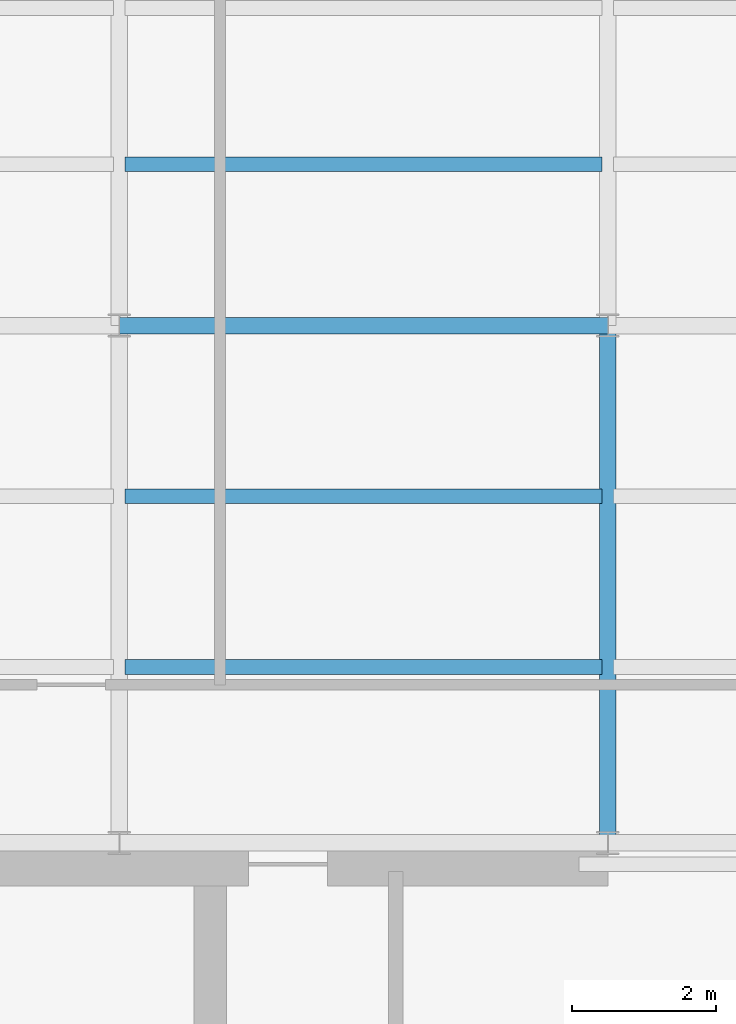
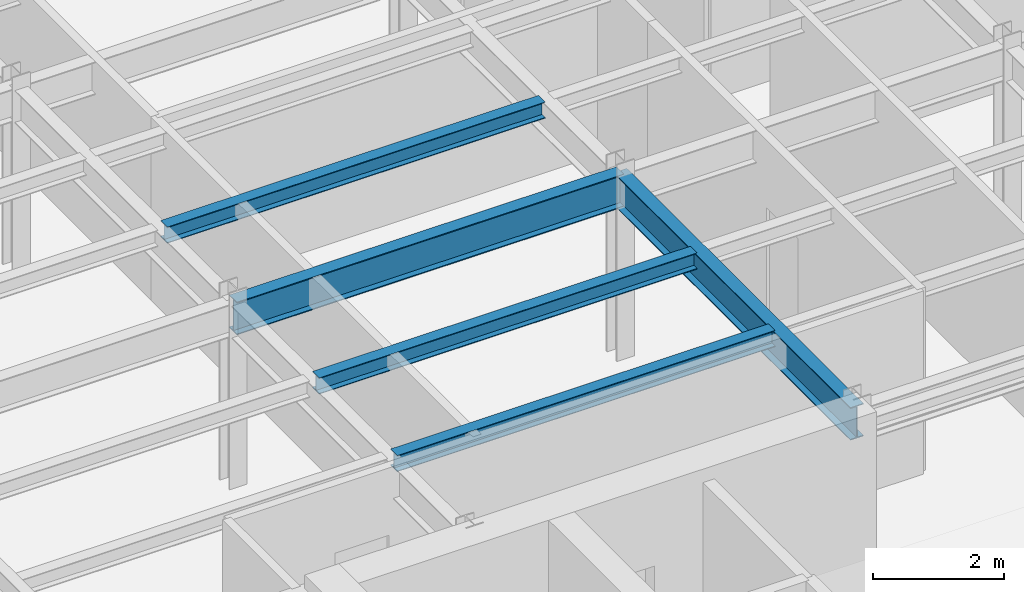
# One storey, part 6 of 22: 5 beams.
"""IFC4 building model written with IfcOpenShell, lengths in metres."""

import ifcopenshell
import ifcopenshell.guid

model = None  # the IFC model being written
_history = None  # IfcOwnerHistory: only IFC2X3 demands one
_inside = {}  # id of a spatial element -> (the spatial element, [elements in it])
_under = {}  # id of a project, library or spatial element -> (it, [spatial elements below it])
_declared = {}  # id of a project -> (the project, [libraries it declares])
_typed = {}  # id of a type object -> (the type object, [elements of that type])
_made_of = {}  # id of a material, layer set ... -> (it, [elements and type objects made of it])


def new_model(schema):
    """Start an empty IFC model of exactly this schema.

    Asked for "IFC4X3", IfcOpenShell would pick the latest addendum, in which some entities
    have other attributes; the version numbers below select the first issue.
    IFC2X3 requires an IfcOwnerHistory on every rooted entity: one is made here for all.
    """
    global model, _history
    if schema == "IFC4X3":
        model = ifcopenshell.file(schema_version=(4, 3, 0, 0))
    else:
        model = ifcopenshell.file(schema=schema)
    _inside.clear()
    _under.clear()
    _declared.clear()
    _typed.clear()
    _made_of.clear()
    _history = None
    if model.schema == "IFC2X3":
        org = make("IfcOrganization", Name="unknown")
        user = make(
            "IfcPersonAndOrganization",
            ThePerson=make("IfcPerson", FamilyName="unknown"),
            TheOrganization=org,
        )
        app = make(
            "IfcApplication",
            ApplicationDeveloper=org,
            Version="unknown",
            ApplicationFullName="unknown",
            ApplicationIdentifier="unknown",
        )
        _history = make(
            "IfcOwnerHistory",
            OwningUser=user,
            OwningApplication=app,
            ChangeAction="ADDED",
            CreationDate=0,
        )
    return model


def make(cls, **values):
    """One entity of the class cls with the attributes given. An attribute that is None is left unset."""
    return model.create_entity(
        cls, **{name: value for name, value in values.items() if value is not None}
    )


def rooted(cls, **values):
    """An entity with a GlobalId (a new one), such as an element, a storey or a relation."""
    return make(cls, GlobalId=ifcopenshell.guid.new(), OwnerHistory=_history, **values)


def si_unit(unit_type, name, prefix=None):
    """IfcSIUnit, for example si_unit("LENGTHUNIT", "METRE", prefix="MILLI")."""
    return make("IfcSIUnit", UnitType=unit_type, Prefix=prefix, Name=name)


def derived_unit(unit_type, elements):
    """IfcDerivedUnit: a product of units, each with its exponent."""
    return make(
        "IfcDerivedUnit",
        Elements=[
            make("IfcDerivedUnitElement", Unit=unit, Exponent=power)
            for unit, power in elements
        ],
        UnitType=unit_type,
    )


def assignment(units):
    """IfcUnitAssignment: the units of a project."""
    return None if units is None else make("IfcUnitAssignment", Units=units)


def point(xyz):
    """IfcCartesianPoint."""
    return None if xyz is None else make("IfcCartesianPoint", Coordinates=xyz)


def direction(xyz):
    """IfcDirection."""
    return None if xyz is None else make("IfcDirection", DirectionRatios=xyz)


def frame(location, z_axis=None, x_axis=None):
    """IfcAxis2Placement3D, a coordinate frame: its origin and axes. An axis left out is left unset."""
    return make(
        "IfcAxis2Placement3D",
        Location=point(location),
        Axis=direction(z_axis),
        RefDirection=direction(x_axis),
    )


def frame_2d(location, x_axis=None):
    """IfcAxis2Placement2D, a coordinate frame in the plane: its origin and x axis."""
    return make(
        "IfcAxis2Placement2D", Location=point(location), RefDirection=direction(x_axis)
    )


def origin():
    """The frame at (0, 0, 0) with its axes left unset."""
    return frame((0.0, 0.0, 0.0))


def origin_2d():
    """The frame at (0, 0) in the plane with its x axis left unset."""
    return frame_2d((0.0, 0.0))


def place(relative_to, where):
    """IfcLocalPlacement: puts the frame where relative to a parent placement (None: the world)."""
    return make(
        "IfcLocalPlacement", PlacementRelTo=relative_to, RelativePlacement=where
    )


def context(
    kind, dimensions, precision=None, world=None, true_north=None, identifier=None
):
    """IfcGeometricRepresentationContext, for example the 3D "Model" context."""
    return make(
        "IfcGeometricRepresentationContext",
        ContextIdentifier=identifier,
        ContextType=kind,
        CoordinateSpaceDimension=dimensions,
        Precision=precision,
        WorldCoordinateSystem=world,
        TrueNorth=true_north,
    )


def subcontext(parent, identifier, kind, view, scale=None):
    """IfcGeometricRepresentationSubContext, for example "Body" below "Model"."""
    return make(
        "IfcGeometricRepresentationSubContext",
        ContextIdentifier=identifier,
        ContextType=kind,
        ParentContext=parent,
        TargetScale=scale,
        TargetView=view,
    )


def project(units=None, contexts=None):
    """IfcProject with its units and contexts."""
    return rooted(
        "IfcProject",
        Name="project",
        RepresentationContexts=contexts,
        UnitsInContext=assignment(units),
    )


def spatial(cls, under=None, at=None, **own):
    """A site, building, storey or space (cls), placed at a placement, below another one or the project."""
    s = rooted(cls, ObjectPlacement=at, **own)
    if under is not None:
        _under.setdefault(under.id(), (under, []))[1].append(s)
    return s


def profile(cls, at=None, kind="AREA", **sizes):
    """A parametric profile (cls). Its sizes go by their IFC names, for example OverallWidth=200.0."""
    return make(cls, ProfileType=kind, Position=at, **sizes)


def i_section(**sizes):
    """IfcIShapeProfileDef."""
    return profile("IfcIShapeProfileDef", **sizes)


def extrude(swept, where, along, depth):
    """IfcExtrudedAreaSolid: the profile swept, set in the frame where, extruded along a direction by depth."""
    return make(
        "IfcExtrudedAreaSolid",
        SweptArea=swept,
        Position=where,
        ExtrudedDirection=direction(along),
        Depth=depth,
    )


def shape(context_of_items, identifier, shape_type, items):
    """IfcShapeRepresentation: the items that make up one representation, for example the "Body"."""
    return make(
        "IfcShapeRepresentation",
        ContextOfItems=context_of_items,
        RepresentationIdentifier=identifier,
        RepresentationType=shape_type,
        Items=items,
    )


def source(mapping_origin, context_of_items, identifier, shape_type, items):
    """IfcRepresentationMap: a shape defined once, which mapped items show again and again."""
    return make(
        "IfcRepresentationMap",
        MappingOrigin=mapping_origin,
        MappedRepresentation=shape(context_of_items, identifier, shape_type, items),
    )


def transform(
    local_origin,
    x_axis=None,
    y_axis=None,
    z_axis=None,
    scale=None,
    scale2=None,
    scale3=None,
    uniform=True,
):
    """IfcCartesianTransformationOperator3D, or its non-uniform kind. x_axis, y_axis, z_axis: its Axis1, 2, 3."""
    if uniform:
        return make(
            "IfcCartesianTransformationOperator3D",
            Axis1=direction(x_axis),
            Axis2=direction(y_axis),
            LocalOrigin=point(local_origin),
            Scale=scale,
            Axis3=direction(z_axis),
        )
    return make(
        "IfcCartesianTransformationOperator3DnonUniform",
        Axis1=direction(x_axis),
        Axis2=direction(y_axis),
        LocalOrigin=point(local_origin),
        Scale=scale,
        Axis3=direction(z_axis),
        Scale2=scale2,
        Scale3=scale3,
    )


def mapped(mapping_source, mapping_target):
    """IfcMappedItem: shows the shape of a source again, moved by a transform."""
    return make(
        "IfcMappedItem", MappingSource=mapping_source, MappingTarget=mapping_target
    )


def material(Name=None, Category=None):
    """IfcMaterial."""
    return make("IfcMaterial", Name=Name, Category=Category)


def material_profile(
    of_material, cross_section, Name=None, Category=None, Priority=None
):
    """IfcMaterialProfile: a cross section and its material."""
    return make(
        "IfcMaterialProfile",
        Name=Name,
        Material=of_material,
        Profile=cross_section,
        Priority=Priority,
        Category=Category,
    )


def profile_set(profiles, Name=None, composite=None):
    """IfcMaterialProfileSet."""
    return make(
        "IfcMaterialProfileSet",
        Name=Name,
        MaterialProfiles=profiles,
        CompositeProfile=composite,
    )


def made_of(thing, what):
    """Note that an element or type object is made of a material, layer set ...; save() writes the relation."""
    if what is not None:
        _made_of.setdefault(what.id(), (what, []))[1].append(thing)
    return thing


def type_object(cls, material=None, **own):
    """A type object (cls), such as IfcWallType, which elements share."""
    return made_of(rooted(cls, **own), material)


def element(
    cls,
    number,
    at=None,
    inside=None,
    cuts=None,
    type_object=None,
    material=None,
    context=None,
    identifier="Body",
    shape_type=None,
    held_by="IfcProductDefinitionShape",
    body=None,
    shapes=None,
    **own,
):
    """One element of the class cls, such as IfcWall. Its Tag is "e" and its number.

    at: its placement. inside: the storey or other place that contains it. cuts: it is an
    opening in that element (IfcRelVoidsElement). A single representation is given by context,
    identifier, shape_type and body (its items); several are given by shapes. held_by: the class
    of the entity that holds the representations. save() writes the other relations.
    """
    e = rooted(cls, Tag="e%d" % number, ObjectPlacement=at, **own)
    if body is not None:
        shapes = [shape(context, identifier, shape_type, body)]
    if shapes is not None:
        e.Representation = make(held_by, Representations=shapes)
    if inside is not None:
        _inside.setdefault(inside.id(), (inside, []))[1].append(e)
    if cuts is not None:
        rooted(
            "IfcRelVoidsElement", RelatingBuildingElement=cuts, RelatedOpeningElement=e
        )
    if type_object is not None:
        _typed.setdefault(type_object.id(), (type_object, []))[1].append(e)
    return made_of(e, material)


def aggregate(whole, parts):
    """IfcRelAggregates: a whole, such as a stair, and the parts it consists of."""
    return rooted("IfcRelAggregates", RelatingObject=whole, RelatedObjects=parts)


def save(model, path):
    """Write the relations noted so far, then the file.

    IfcRelAggregates (storeys below a building ...), IfcRelContainedInSpatialStructure (elements
    in a storey), IfcRelDefinesByType, IfcRelAssociatesMaterial and IfcRelDeclares: one each for
    every whole, place, type object, material and project.
    """
    for whole, parts in _under.values():
        aggregate(whole, parts)
    for where, things in _inside.values():
        rooted(
            "IfcRelContainedInSpatialStructure",
            RelatedElements=things,
            RelatingStructure=where,
        )
    for kind, things in _typed.values():
        rooted("IfcRelDefinesByType", RelatedObjects=things, RelatingType=kind)
    for what, things in _made_of.values():
        rooted("IfcRelAssociatesMaterial", RelatedObjects=things, RelatingMaterial=what)
    for by, libraries in _declared.values():
        rooted("IfcRelDeclares", RelatingContext=by, RelatedDefinitions=libraries)
    model.write(path)


model = new_model("IFC4")

# Units and contexts
model_context = context("Model", 3, precision=1e-05, world=origin(), true_north=direction((0.0, 1.0)))
body_context = subcontext(model_context, "Body", "Model", "MODEL_VIEW")
ifc_project = project(units=[si_unit("LENGTHUNIT", "METRE"), si_unit("AREAUNIT", "SQUARE_METRE"), si_unit("VOLUMEUNIT", "CUBIC_METRE"), si_unit("PLANEANGLEUNIT", "RADIAN"), si_unit("MASSUNIT", "GRAM", prefix="KILO"), derived_unit("THERMALTRANSMITTANCEUNIT", [(si_unit("POWERUNIT", "WATT"), 1), (si_unit("LENGTHUNIT", "METRE"), -2), (si_unit("THERMODYNAMICTEMPERATUREUNIT", "KELVIN"), -1)])], contexts=[model_context])

# Site, building, storey
site_placement = place(None, origin())
site = spatial("IfcSite", under=ifc_project, at=site_placement, CompositionType="ELEMENT")
building_placement = place(site_placement, origin())
building = spatial("IfcBuilding", under=site, at=building_placement, Name="Skarnbrae Concourse Arena and Tower", CompositionType="ELEMENT")
storey_placement = place(building_placement, frame((0.0, 0.0, 280.699951171875)))
storey = spatial("IfcBuildingStorey", under=building, at=storey_placement, Name="L73", CompositionType="ELEMENT", Elevation=280.699951171875)

# Beams
ifc_material = material(Name="Steel CSA G40.21 350W", Category="steel")
ifc_material_profile_1 = material_profile(ifc_material, i_section(OverallWidth=0.22802734375, OverallDepth=0.60791015625, WebThickness=0.01123046875, FlangeThickness=0.017333984375, at=origin_2d()), Name="W610X113")
ifc_profile_set_1 = profile_set([ifc_material_profile_1], Name="Steel CSA G40.21 350W")
beam_type_1 = type_object("IfcBeamType", Name="BM-GIRD-W610X113", PredefinedType="BEAM", material=ifc_profile_set_1)
shared_shape_1 = source(origin(), body_context, "Body", "SweptSolid", [
    extrude(i_section(OverallWidth=0.22802734375, OverallDepth=0.60791015625, WebThickness=0.01123046875, FlangeThickness=0.017333984375, at=origin_2d()), origin(), (0.0, 0.0, 1.0), 6.7998046875),
])
beam_1_placement = place(storey_placement, frame((7.60009765625, 21.199951171875, 3.095947265625), z_axis=(1.0, 0.0, 0.0), x_axis=(0.0, 1.0, 0.0)))
element("IfcBeam", 1, at=beam_1_placement, inside=storey, type_object=beam_type_1, Name="L73 Primary E-W girder Y21.2-2", PredefinedType="BEAM", context=body_context, shape_type="MappedRepresentation", body=[
    mapped(shared_shape_1, transform((0.0, 0.0, 0.0))),
])
shared_shape_2 = source(origin(), body_context, "Body", "SweptSolid", [
    extrude(i_section(OverallWidth=0.22802734375, OverallDepth=0.60791015625, WebThickness=0.01123046875, FlangeThickness=0.017333984375, at=origin_2d()), origin(), (0.0, 0.0, 1.0), 7.199951171875),
])
beam_2_placement = place(storey_placement, frame((14.39990234375, 14.0, 3.095947265625), z_axis=(0.0, 1.0, 0.0), x_axis=(-1.0, 0.0, 0.0)))
element("IfcBeam", 2, at=beam_2_placement, inside=storey, type_object=beam_type_1, Name="L73 Primary N-S girder X14.4-1", PredefinedType="BEAM", context=body_context, shape_type="MappedRepresentation", body=[
    mapped(shared_shape_2, transform((0.0, 0.0, 0.0))),
])
ifc_material_profile_2 = material_profile(ifc_material, i_section(OverallWidth=0.202880859375, OverallDepth=0.302978515625, WebThickness=0.007568359375, FlangeThickness=0.01318359375, at=origin_2d()), Name="W310X60")
ifc_profile_set_2 = profile_set([ifc_material_profile_2], Name="Steel CSA G40.21 350W")
beam_type_2 = type_object("IfcBeamType", Name="BM-JOIST-W310X60", PredefinedType="JOIST", material=ifc_profile_set_2)
shared_shape_3 = source(origin(), body_context, "Body", "SweptSolid", [
    extrude(i_section(OverallWidth=0.202880859375, OverallDepth=0.302978515625, WebThickness=0.007568359375, FlangeThickness=0.01318359375, at=origin_2d()), origin(), (0.0, 0.0, 1.0), 6.64013671875),
])
for number, where, z_axis, x_axis, name in (
    (3, (7.679931640625, 16.447998046875, 3.24853515625), (1.0, 0.0, 0.0), (0.0, 1.0, 0.0), "L73 Secondary floor joist 1.1.2"),
    (4, (7.679931640625, 18.823974609375, 3.24853515625), (1.0, 0.0, 0.0), (0.0, 1.0, 0.0), "L73 Secondary floor joist 1.2.2"),
    (5, (7.679931640625, 23.444091796875, 3.24853515625), (1.0, 0.0, 0.0), (0.0, 1.0, 0.0), "L73 Secondary floor joist 2.1.2"),
):
    element("IfcBeam", number, at=place(storey_placement, frame(where, z_axis=z_axis, x_axis=x_axis)), inside=storey, type_object=beam_type_2, Name=name, PredefinedType="JOIST", context=body_context, shape_type="MappedRepresentation", body=[
        mapped(shared_shape_3, transform((0.0, 0.0, 0.0))),
    ])

save(model, "model.ifc")
